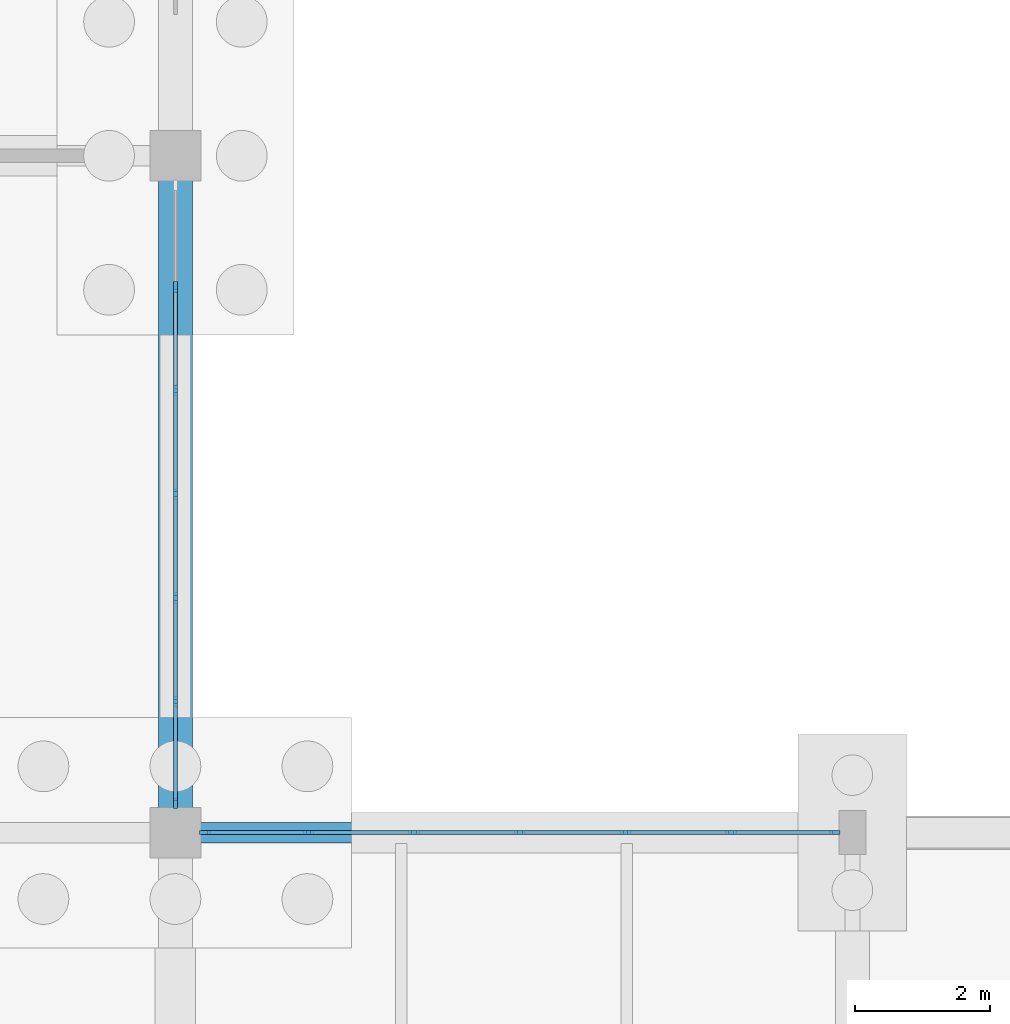
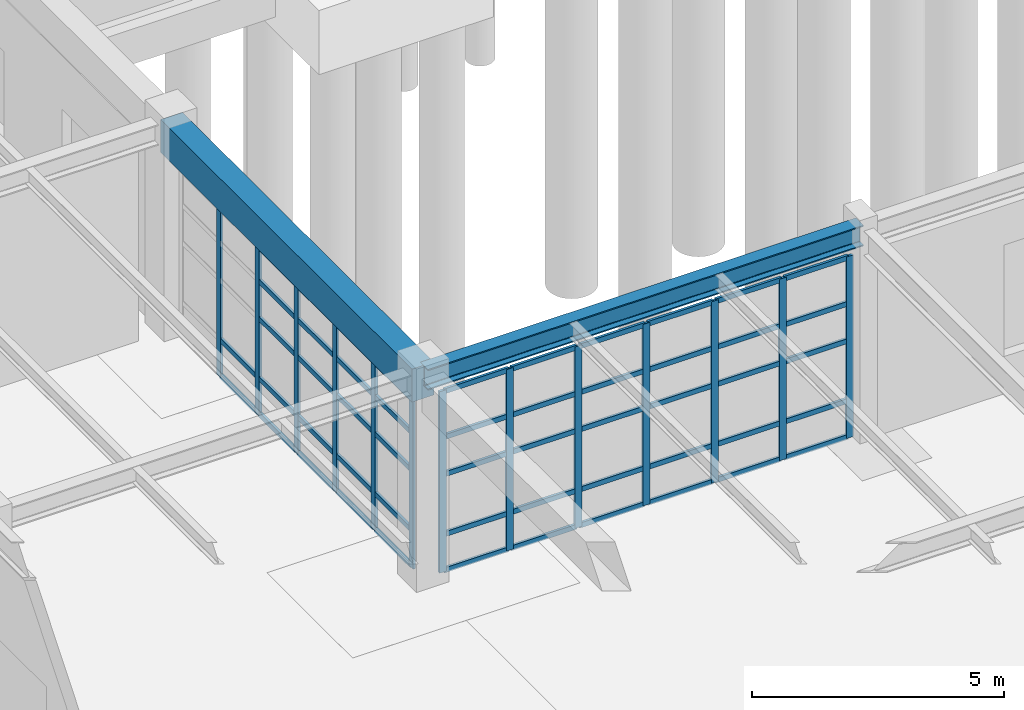
# One storey, part 39 of 145: 65 members, 2 beams, 2 elements without a shape of their own.
"""IFC4 building model written with IfcOpenShell, lengths in metres."""

from ifc_helpers import new_model, si_unit, direction, frame, origin, origin_2d, place, context, subcontext, project, spatial, rectangle, i_section, extrude, material, layer, layer_set, material_profile, profile_set, type_object, element, aggregate, save


model = new_model("IFC4")

# Units and contexts
model_context = context("Model", 3, precision=1e-05, world=origin(), true_north=direction((0.0, 1.0)))
body_context = subcontext(model_context, "Body", "Model", "MODEL_VIEW")
ifc_project = project(units=[si_unit("LENGTHUNIT", "METRE"), si_unit("AREAUNIT", "SQUARE_METRE"), si_unit("VOLUMEUNIT", "CUBIC_METRE"), si_unit("PLANEANGLEUNIT", "RADIAN"), si_unit("MASSUNIT", "GRAM", prefix="KILO"), si_unit("THERMODYNAMICTEMPERATUREUNIT", "KELVIN"), si_unit("POWERUNIT", "WATT")], contexts=[model_context])

# Site, building, storey
site_placement = place(None, origin())
site = spatial("IfcSite", under=ifc_project, at=site_placement, CompositionType="ELEMENT")
building_placement = place(site_placement, origin())
building = spatial("IfcBuilding", under=site, at=building_placement, Name="Korenveer Ferry Terminal", CompositionType="ELEMENT")
storey_placement = place(building_placement, origin())
storey = spatial("IfcBuildingStorey", under=building, at=storey_placement, Name="L00", CompositionType="ELEMENT", Elevation=0.0)

# Curtain wall, members
ifc_material_1 = material(Name="Unitised bronze-and-glass curtain wall", Category="glass")
ifc_layer_1 = layer(ifc_material_1, 0.159912109375)
ifc_layer_set_1 = layer_set([ifc_layer_1], Name="Unitised bronze-and-glass curtain wall")
curtain_wall_type_1 = type_object("IfcCurtainWallType", Name="ENV-CW-03", PredefinedType="USERDEFINED", material=ifc_layer_set_1)
curtain_wall_1_placement = place(storey_placement, frame((30.405029296875, 50.0, 0.0)))
curtain_wall_1 = element("IfcCurtainWall", 1, at=curtain_wall_1_placement, inside=storey, type_object=curtain_wall_type_1, Name="Lancet curtain wall CWX-L00-X30-40-Y50-50", ObjectType="UNITISED CURTAIN WALL", PredefinedType="USERDEFINED")
ifc_material_2 = material(Name="Anodised bronze aluminium", Category="aluminium")
ifc_material_profile_1 = material_profile(ifc_material_2, rectangle(XDim=0.06005859375, YDim=0.159912109375, at=origin_2d()), Name="ALU 60x160")
ifc_profile_set_1 = profile_set([ifc_material_profile_1], Name="Anodised bronze aluminium")
member_type_1 = type_object("IfcMemberType", Name="ENV-CWM-60X160", PredefinedType="MULLION", material=ifc_profile_set_1)
member_1_placement = place(storey_placement, frame((30.43505859375, 50.0, 0.0), z_axis=(0.0, 0.0, 1.0), x_axis=(0.0, 1.0, 0.0)))
member_1 = element("IfcMember", 2, at=member_1_placement, type_object=member_type_1, Name="CW-03 mullion 1", PredefinedType="MULLION", context=body_context, shape_type="SweptSolid", body=[
    extrude(rectangle(XDim=0.06005859375, YDim=0.159912109375, at=origin_2d()), origin(), (0.0, 0.0, 1.0), 4.389892578125),
])
member_2_placement = place(storey_placement, frame((31.9658203125, 50.0, 0.0), z_axis=(0.0, 0.0, 1.0), x_axis=(0.0, 1.0, 0.0)))
member_2 = element("IfcMember", 3, at=member_2_placement, type_object=member_type_1, Name="CW-03 mullion 2", PredefinedType="MULLION", context=body_context, shape_type="SweptSolid", body=[
    extrude(rectangle(XDim=0.06005859375, YDim=0.159912109375, at=origin_2d()), origin(), (0.0, 0.0, 1.0), 4.389892578125),
])
member_3_placement = place(storey_placement, frame((33.526611328125, 50.0, 0.0), z_axis=(0.0, 0.0, 1.0), x_axis=(0.0, 1.0, 0.0)))
member_3 = element("IfcMember", 4, at=member_3_placement, type_object=member_type_1, Name="CW-03 mullion 3", PredefinedType="MULLION", context=body_context, shape_type="SweptSolid", body=[
    extrude(rectangle(XDim=0.06005859375, YDim=0.159912109375, at=origin_2d()), origin(), (0.0, 0.0, 1.0), 4.389892578125),
])
member_4_placement = place(storey_placement, frame((35.08740234375, 50.0, 0.0), z_axis=(0.0, 0.0, 1.0), x_axis=(0.0, 1.0, 0.0)))
member_4 = element("IfcMember", 5, at=member_4_placement, type_object=member_type_1, Name="CW-03 mullion 4", PredefinedType="MULLION", context=body_context, shape_type="SweptSolid", body=[
    extrude(rectangle(XDim=0.06005859375, YDim=0.159912109375, at=origin_2d()), origin(), (0.0, 0.0, 1.0), 4.389892578125),
])
member_5_placement = place(storey_placement, frame((36.6484375, 50.0, 0.0), z_axis=(0.0, 0.0, 1.0), x_axis=(0.0, 1.0, 0.0)))
member_5 = element("IfcMember", 6, at=member_5_placement, type_object=member_type_1, Name="CW-03 mullion 5", PredefinedType="MULLION", context=body_context, shape_type="SweptSolid", body=[
    extrude(rectangle(XDim=0.06005859375, YDim=0.159912109375, at=origin_2d()), origin(), (0.0, 0.0, 1.0), 4.389892578125),
])
member_6_placement = place(storey_placement, frame((38.209228515625, 50.0, 0.0), z_axis=(0.0, 0.0, 1.0), x_axis=(0.0, 1.0, 0.0)))
member_6 = element("IfcMember", 7, at=member_6_placement, type_object=member_type_1, Name="CW-03 mullion 6", PredefinedType="MULLION", context=body_context, shape_type="SweptSolid", body=[
    extrude(rectangle(XDim=0.06005859375, YDim=0.159912109375, at=origin_2d()), origin(), (0.0, 0.0, 1.0), 4.389892578125),
])
member_7_placement = place(storey_placement, frame((39.739990234375, 50.0, 0.0), z_axis=(0.0, 0.0, 1.0), x_axis=(0.0, 1.0, 0.0)))
member_7 = element("IfcMember", 8, at=member_7_placement, type_object=member_type_1, Name="CW-03 mullion 7", PredefinedType="MULLION", context=body_context, shape_type="SweptSolid", body=[
    extrude(rectangle(XDim=0.06005859375, YDim=0.159912109375, at=origin_2d()), origin(), (0.0, 0.0, 1.0), 4.389892578125),
])

ifc_layer_2 = layer(ifc_material_1, 0.159912109375)
ifc_layer_set_2 = layer_set([ifc_layer_2], Name="Unitised bronze-and-glass curtain wall")
curtain_wall_type_2 = type_object("IfcCurtainWallType", Name="ENV-CW-20", PredefinedType="USERDEFINED", material=ifc_layer_set_2)
curtain_wall_2_placement = place(storey_placement, frame((30.0, 59.594970703125, 0.0)))
curtain_wall_2 = element("IfcCurtainWall", 9, at=curtain_wall_2_placement, inside=storey, type_object=curtain_wall_type_2, Name="Lancet curtain wall CWX-L00-X30-30-Y50-60", ObjectType="UNITISED CURTAIN WALL", PredefinedType="USERDEFINED")
member_8_placement = place(storey_placement, frame((30.0, 58.063232421875, 0.0), z_axis=(0.0, 0.0, 1.0), x_axis=(1.0, 0.0, 0.0)))
member_8 = element("IfcMember", 10, at=member_8_placement, type_object=member_type_1, Name="CW-20 mullion 2", PredefinedType="MULLION", context=body_context, shape_type="SweptSolid", body=[
    extrude(rectangle(XDim=0.06005859375, YDim=0.159912109375, at=origin_2d()), origin(), (0.0, 0.0, 1.0), 4.090087890625),
])
member_9_placement = place(storey_placement, frame((30.0, 56.53173828125, 0.0), z_axis=(0.0, 0.0, 1.0), x_axis=(1.0, 0.0, 0.0)))
member_9 = element("IfcMember", 11, at=member_9_placement, type_object=member_type_1, Name="CW-20 mullion 3", PredefinedType="MULLION", context=body_context, shape_type="SweptSolid", body=[
    extrude(rectangle(XDim=0.06005859375, YDim=0.159912109375, at=origin_2d()), origin(), (0.0, 0.0, 1.0), 4.090087890625),
])
member_10_placement = place(storey_placement, frame((30.0, 55.0, 0.0), z_axis=(0.0, 0.0, 1.0), x_axis=(1.0, 0.0, 0.0)))
member_10 = element("IfcMember", 12, at=member_10_placement, type_object=member_type_1, Name="CW-20 mullion 4", PredefinedType="MULLION", context=body_context, shape_type="SweptSolid", body=[
    extrude(rectangle(XDim=0.06005859375, YDim=0.159912109375, at=origin_2d()), origin(), (0.0, 0.0, 1.0), 4.090087890625),
])
member_11_placement = place(storey_placement, frame((30.0, 53.46826171875, 0.0), z_axis=(0.0, 0.0, 1.0), x_axis=(1.0, 0.0, 0.0)))
member_11 = element("IfcMember", 13, at=member_11_placement, type_object=member_type_1, Name="CW-20 mullion 5", PredefinedType="MULLION", context=body_context, shape_type="SweptSolid", body=[
    extrude(rectangle(XDim=0.06005859375, YDim=0.159912109375, at=origin_2d()), origin(), (0.0, 0.0, 1.0), 4.090087890625),
])
member_12_placement = place(storey_placement, frame((30.0, 51.936767578125, 0.0), z_axis=(0.0, 0.0, 1.0), x_axis=(1.0, 0.0, 0.0)))
member_12 = element("IfcMember", 14, at=member_12_placement, type_object=member_type_1, Name="CW-20 mullion 6", PredefinedType="MULLION", context=body_context, shape_type="SweptSolid", body=[
    extrude(rectangle(XDim=0.06005859375, YDim=0.159912109375, at=origin_2d()), origin(), (0.0, 0.0, 1.0), 4.090087890625),
])
member_13_placement = place(storey_placement, frame((30.0, 50.43505859375, 0.0), z_axis=(0.0, 0.0, 1.0), x_axis=(1.0, 0.0, 0.0)))
member_13 = element("IfcMember", 15, at=member_13_placement, type_object=member_type_1, Name="CW-20 mullion 7", PredefinedType="MULLION", context=body_context, shape_type="SweptSolid", body=[
    extrude(rectangle(XDim=0.06005859375, YDim=0.159912109375, at=origin_2d()), origin(), (0.0, 0.0, 1.0), 4.090087890625),
])

# Member
ifc_material_profile_2 = material_profile(ifc_material_2, rectangle(XDim=0.06005859375, YDim=0.1201171875, at=origin_2d()), Name="ALU 60x120")
ifc_profile_set_2 = profile_set([ifc_material_profile_2], Name="Anodised bronze aluminium")
member_type_2 = type_object("IfcMemberType", Name="ENV-CWT-60X120", PredefinedType="USERDEFINED", material=ifc_profile_set_2)
member_14_placement = place(storey_placement, frame((30.465087890625, 50.0, 0.030029296875), z_axis=(1.0, 0.0, 0.0), x_axis=(0.0, 1.0, 0.0)))
member_14 = element("IfcMember", 16, at=member_14_placement, type_object=member_type_2, Name="CW-03 transom 1.1", ObjectType="TRANSOM", PredefinedType="USERDEFINED", context=body_context, shape_type="SweptSolid", body=[
    extrude(rectangle(XDim=0.06005859375, YDim=0.1201171875, at=origin_2d()), origin(), (0.0, 0.0, 1.0), 1.470703125),
])

member_15_placement = place(storey_placement, frame((30.465087890625, 50.0, 0.89990234375), z_axis=(1.0, 0.0, 0.0), x_axis=(0.0, 1.0, 0.0)))
member_15 = element("IfcMember", 17, at=member_15_placement, type_object=member_type_2, Name="CW-03 transom 1.2", ObjectType="TRANSOM", PredefinedType="USERDEFINED", context=body_context, shape_type="SweptSolid", body=[
    extrude(rectangle(XDim=0.06005859375, YDim=0.1201171875, at=origin_2d()), origin(), (0.0, 0.0, 1.0), 1.470703125),
])

member_16_placement = place(storey_placement, frame((30.465087890625, 50.0, 2.35009765625), z_axis=(1.0, 0.0, 0.0), x_axis=(0.0, 1.0, 0.0)))
member_16 = element("IfcMember", 18, at=member_16_placement, type_object=member_type_2, Name="CW-03 transom 1.3", ObjectType="TRANSOM", PredefinedType="USERDEFINED", context=body_context, shape_type="SweptSolid", body=[
    extrude(rectangle(XDim=0.06005859375, YDim=0.1201171875, at=origin_2d()), origin(), (0.0, 0.0, 1.0), 1.470703125),
])

member_17_placement = place(storey_placement, frame((30.465087890625, 50.0, 3.25), z_axis=(1.0, 0.0, 0.0), x_axis=(0.0, 1.0, 0.0)))
member_17 = element("IfcMember", 19, at=member_17_placement, type_object=member_type_2, Name="CW-03 transom 1.4", ObjectType="TRANSOM", PredefinedType="USERDEFINED", context=body_context, shape_type="SweptSolid", body=[
    extrude(rectangle(XDim=0.06005859375, YDim=0.1201171875, at=origin_2d()), origin(), (0.0, 0.0, 1.0), 1.470703125),
])

member_18_placement = place(storey_placement, frame((30.465087890625, 50.0, 4.360107421875), z_axis=(1.0, 0.0, 0.0), x_axis=(0.0, 1.0, 0.0)))
member_18 = element("IfcMember", 20, at=member_18_placement, type_object=member_type_2, Name="CW-03 transom 1.5", ObjectType="TRANSOM", PredefinedType="USERDEFINED", context=body_context, shape_type="SweptSolid", body=[
    extrude(rectangle(XDim=0.06005859375, YDim=0.1201171875, at=origin_2d()), origin(), (0.0, 0.0, 1.0), 1.470703125),
])

member_19_placement = place(storey_placement, frame((31.995849609375, 50.0, 0.030029296875), z_axis=(1.0, 0.0, 0.0), x_axis=(0.0, 1.0, 0.0)))
member_19 = element("IfcMember", 21, at=member_19_placement, type_object=member_type_2, Name="CW-03 transom 2.1", ObjectType="TRANSOM", PredefinedType="USERDEFINED", context=body_context, shape_type="SweptSolid", body=[
    extrude(rectangle(XDim=0.06005859375, YDim=0.1201171875, at=origin_2d()), origin(), (0.0, 0.0, 1.0), 1.500732421875),
])

member_20_placement = place(storey_placement, frame((31.995849609375, 50.0, 0.89990234375), z_axis=(1.0, 0.0, 0.0), x_axis=(0.0, 1.0, 0.0)))
member_20 = element("IfcMember", 22, at=member_20_placement, type_object=member_type_2, Name="CW-03 transom 2.2", ObjectType="TRANSOM", PredefinedType="USERDEFINED", context=body_context, shape_type="SweptSolid", body=[
    extrude(rectangle(XDim=0.06005859375, YDim=0.1201171875, at=origin_2d()), origin(), (0.0, 0.0, 1.0), 1.500732421875),
])

member_21_placement = place(storey_placement, frame((31.995849609375, 50.0, 2.35009765625), z_axis=(1.0, 0.0, 0.0), x_axis=(0.0, 1.0, 0.0)))
member_21 = element("IfcMember", 23, at=member_21_placement, type_object=member_type_2, Name="CW-03 transom 2.3", ObjectType="TRANSOM", PredefinedType="USERDEFINED", context=body_context, shape_type="SweptSolid", body=[
    extrude(rectangle(XDim=0.06005859375, YDim=0.1201171875, at=origin_2d()), origin(), (0.0, 0.0, 1.0), 1.500732421875),
])

member_22_placement = place(storey_placement, frame((31.995849609375, 50.0, 3.25), z_axis=(1.0, 0.0, 0.0), x_axis=(0.0, 1.0, 0.0)))
member_22 = element("IfcMember", 24, at=member_22_placement, type_object=member_type_2, Name="CW-03 transom 2.4", ObjectType="TRANSOM", PredefinedType="USERDEFINED", context=body_context, shape_type="SweptSolid", body=[
    extrude(rectangle(XDim=0.06005859375, YDim=0.1201171875, at=origin_2d()), origin(), (0.0, 0.0, 1.0), 1.500732421875),
])

member_23_placement = place(storey_placement, frame((31.995849609375, 50.0, 4.360107421875), z_axis=(1.0, 0.0, 0.0), x_axis=(0.0, 1.0, 0.0)))
member_23 = element("IfcMember", 25, at=member_23_placement, type_object=member_type_2, Name="CW-03 transom 2.5", ObjectType="TRANSOM", PredefinedType="USERDEFINED", context=body_context, shape_type="SweptSolid", body=[
    extrude(rectangle(XDim=0.06005859375, YDim=0.1201171875, at=origin_2d()), origin(), (0.0, 0.0, 1.0), 1.500732421875),
])

member_24_placement = place(storey_placement, frame((33.556640625, 50.0, 0.030029296875), z_axis=(1.0, 0.0, 0.0), x_axis=(0.0, 1.0, 0.0)))
member_24 = element("IfcMember", 26, at=member_24_placement, type_object=member_type_2, Name="CW-03 transom 3.1", ObjectType="TRANSOM", PredefinedType="USERDEFINED", context=body_context, shape_type="SweptSolid", body=[
    extrude(rectangle(XDim=0.06005859375, YDim=0.1201171875, at=origin_2d()), origin(), (0.0, 0.0, 1.0), 1.5009765625),
])

member_25_placement = place(storey_placement, frame((33.556640625, 50.0, 0.89990234375), z_axis=(1.0, 0.0, 0.0), x_axis=(0.0, 1.0, 0.0)))
member_25 = element("IfcMember", 27, at=member_25_placement, type_object=member_type_2, Name="CW-03 transom 3.2", ObjectType="TRANSOM", PredefinedType="USERDEFINED", context=body_context, shape_type="SweptSolid", body=[
    extrude(rectangle(XDim=0.06005859375, YDim=0.1201171875, at=origin_2d()), origin(), (0.0, 0.0, 1.0), 1.5009765625),
])

member_26_placement = place(storey_placement, frame((33.556640625, 50.0, 2.35009765625), z_axis=(1.0, 0.0, 0.0), x_axis=(0.0, 1.0, 0.0)))
member_26 = element("IfcMember", 28, at=member_26_placement, type_object=member_type_2, Name="CW-03 transom 3.3", ObjectType="TRANSOM", PredefinedType="USERDEFINED", context=body_context, shape_type="SweptSolid", body=[
    extrude(rectangle(XDim=0.06005859375, YDim=0.1201171875, at=origin_2d()), origin(), (0.0, 0.0, 1.0), 1.5009765625),
])

member_27_placement = place(storey_placement, frame((33.556640625, 50.0, 3.25), z_axis=(1.0, 0.0, 0.0), x_axis=(0.0, 1.0, 0.0)))
member_27 = element("IfcMember", 29, at=member_27_placement, type_object=member_type_2, Name="CW-03 transom 3.4", ObjectType="TRANSOM", PredefinedType="USERDEFINED", context=body_context, shape_type="SweptSolid", body=[
    extrude(rectangle(XDim=0.06005859375, YDim=0.1201171875, at=origin_2d()), origin(), (0.0, 0.0, 1.0), 1.5009765625),
])

member_28_placement = place(storey_placement, frame((33.556640625, 50.0, 4.360107421875), z_axis=(1.0, 0.0, 0.0), x_axis=(0.0, 1.0, 0.0)))
member_28 = element("IfcMember", 30, at=member_28_placement, type_object=member_type_2, Name="CW-03 transom 3.5", ObjectType="TRANSOM", PredefinedType="USERDEFINED", context=body_context, shape_type="SweptSolid", body=[
    extrude(rectangle(XDim=0.06005859375, YDim=0.1201171875, at=origin_2d()), origin(), (0.0, 0.0, 1.0), 1.5009765625),
])

member_29_placement = place(storey_placement, frame((35.117431640625, 50.0, 0.030029296875), z_axis=(1.0, 0.0, 0.0), x_axis=(0.0, 1.0, 0.0)))
member_29 = element("IfcMember", 31, at=member_29_placement, type_object=member_type_2, Name="CW-03 transom 4.1", ObjectType="TRANSOM", PredefinedType="USERDEFINED", context=body_context, shape_type="SweptSolid", body=[
    extrude(rectangle(XDim=0.06005859375, YDim=0.1201171875, at=origin_2d()), origin(), (0.0, 0.0, 1.0), 1.5009765625),
])

member_30_placement = place(storey_placement, frame((35.117431640625, 50.0, 0.89990234375), z_axis=(1.0, 0.0, 0.0), x_axis=(0.0, 1.0, 0.0)))
member_30 = element("IfcMember", 32, at=member_30_placement, type_object=member_type_2, Name="CW-03 transom 4.2", ObjectType="TRANSOM", PredefinedType="USERDEFINED", context=body_context, shape_type="SweptSolid", body=[
    extrude(rectangle(XDim=0.06005859375, YDim=0.1201171875, at=origin_2d()), origin(), (0.0, 0.0, 1.0), 1.5009765625),
])

member_31_placement = place(storey_placement, frame((35.117431640625, 50.0, 2.35009765625), z_axis=(1.0, 0.0, 0.0), x_axis=(0.0, 1.0, 0.0)))
member_31 = element("IfcMember", 33, at=member_31_placement, type_object=member_type_2, Name="CW-03 transom 4.3", ObjectType="TRANSOM", PredefinedType="USERDEFINED", context=body_context, shape_type="SweptSolid", body=[
    extrude(rectangle(XDim=0.06005859375, YDim=0.1201171875, at=origin_2d()), origin(), (0.0, 0.0, 1.0), 1.5009765625),
])

member_32_placement = place(storey_placement, frame((35.117431640625, 50.0, 3.25), z_axis=(1.0, 0.0, 0.0), x_axis=(0.0, 1.0, 0.0)))
member_32 = element("IfcMember", 34, at=member_32_placement, type_object=member_type_2, Name="CW-03 transom 4.4", ObjectType="TRANSOM", PredefinedType="USERDEFINED", context=body_context, shape_type="SweptSolid", body=[
    extrude(rectangle(XDim=0.06005859375, YDim=0.1201171875, at=origin_2d()), origin(), (0.0, 0.0, 1.0), 1.5009765625),
])

member_33_placement = place(storey_placement, frame((35.117431640625, 50.0, 4.360107421875), z_axis=(1.0, 0.0, 0.0), x_axis=(0.0, 1.0, 0.0)))
member_33 = element("IfcMember", 35, at=member_33_placement, type_object=member_type_2, Name="CW-03 transom 4.5", ObjectType="TRANSOM", PredefinedType="USERDEFINED", context=body_context, shape_type="SweptSolid", body=[
    extrude(rectangle(XDim=0.06005859375, YDim=0.1201171875, at=origin_2d()), origin(), (0.0, 0.0, 1.0), 1.5009765625),
])

member_34_placement = place(storey_placement, frame((36.67822265625, 50.0, 0.030029296875), z_axis=(1.0, 0.0, 0.0), x_axis=(0.0, 1.0, 0.0)))
member_34 = element("IfcMember", 36, at=member_34_placement, type_object=member_type_2, Name="CW-03 transom 5.1", ObjectType="TRANSOM", PredefinedType="USERDEFINED", context=body_context, shape_type="SweptSolid", body=[
    extrude(rectangle(XDim=0.06005859375, YDim=0.1201171875, at=origin_2d()), origin(), (0.0, 0.0, 1.0), 1.5009765625),
])

member_35_placement = place(storey_placement, frame((36.67822265625, 50.0, 0.89990234375), z_axis=(1.0, 0.0, 0.0), x_axis=(0.0, 1.0, 0.0)))
member_35 = element("IfcMember", 37, at=member_35_placement, type_object=member_type_2, Name="CW-03 transom 5.2", ObjectType="TRANSOM", PredefinedType="USERDEFINED", context=body_context, shape_type="SweptSolid", body=[
    extrude(rectangle(XDim=0.06005859375, YDim=0.1201171875, at=origin_2d()), origin(), (0.0, 0.0, 1.0), 1.5009765625),
])

member_36_placement = place(storey_placement, frame((36.67822265625, 50.0, 2.35009765625), z_axis=(1.0, 0.0, 0.0), x_axis=(0.0, 1.0, 0.0)))
member_36 = element("IfcMember", 38, at=member_36_placement, type_object=member_type_2, Name="CW-03 transom 5.3", ObjectType="TRANSOM", PredefinedType="USERDEFINED", context=body_context, shape_type="SweptSolid", body=[
    extrude(rectangle(XDim=0.06005859375, YDim=0.1201171875, at=origin_2d()), origin(), (0.0, 0.0, 1.0), 1.5009765625),
])

member_37_placement = place(storey_placement, frame((36.67822265625, 50.0, 3.25), z_axis=(1.0, 0.0, 0.0), x_axis=(0.0, 1.0, 0.0)))
member_37 = element("IfcMember", 39, at=member_37_placement, type_object=member_type_2, Name="CW-03 transom 5.4", ObjectType="TRANSOM", PredefinedType="USERDEFINED", context=body_context, shape_type="SweptSolid", body=[
    extrude(rectangle(XDim=0.06005859375, YDim=0.1201171875, at=origin_2d()), origin(), (0.0, 0.0, 1.0), 1.5009765625),
])

member_38_placement = place(storey_placement, frame((36.67822265625, 50.0, 4.360107421875), z_axis=(1.0, 0.0, 0.0), x_axis=(0.0, 1.0, 0.0)))
member_38 = element("IfcMember", 40, at=member_38_placement, type_object=member_type_2, Name="CW-03 transom 5.5", ObjectType="TRANSOM", PredefinedType="USERDEFINED", context=body_context, shape_type="SweptSolid", body=[
    extrude(rectangle(XDim=0.06005859375, YDim=0.1201171875, at=origin_2d()), origin(), (0.0, 0.0, 1.0), 1.5009765625),
])

member_39_placement = place(storey_placement, frame((38.2392578125, 50.0, 0.030029296875), z_axis=(1.0, 0.0, 0.0), x_axis=(0.0, 1.0, 0.0)))
member_39 = element("IfcMember", 41, at=member_39_placement, type_object=member_type_2, Name="CW-03 transom 6.1", ObjectType="TRANSOM", PredefinedType="USERDEFINED", context=body_context, shape_type="SweptSolid", body=[
    extrude(rectangle(XDim=0.06005859375, YDim=0.1201171875, at=origin_2d()), origin(), (0.0, 0.0, 1.0), 1.470703125),
])

member_40_placement = place(storey_placement, frame((38.2392578125, 50.0, 0.89990234375), z_axis=(1.0, 0.0, 0.0), x_axis=(0.0, 1.0, 0.0)))
member_40 = element("IfcMember", 42, at=member_40_placement, type_object=member_type_2, Name="CW-03 transom 6.2", ObjectType="TRANSOM", PredefinedType="USERDEFINED", context=body_context, shape_type="SweptSolid", body=[
    extrude(rectangle(XDim=0.06005859375, YDim=0.1201171875, at=origin_2d()), origin(), (0.0, 0.0, 1.0), 1.470703125),
])

member_41_placement = place(storey_placement, frame((38.2392578125, 50.0, 2.35009765625), z_axis=(1.0, 0.0, 0.0), x_axis=(0.0, 1.0, 0.0)))
member_41 = element("IfcMember", 43, at=member_41_placement, type_object=member_type_2, Name="CW-03 transom 6.3", ObjectType="TRANSOM", PredefinedType="USERDEFINED", context=body_context, shape_type="SweptSolid", body=[
    extrude(rectangle(XDim=0.06005859375, YDim=0.1201171875, at=origin_2d()), origin(), (0.0, 0.0, 1.0), 1.470703125),
])

member_42_placement = place(storey_placement, frame((38.2392578125, 50.0, 3.25), z_axis=(1.0, 0.0, 0.0), x_axis=(0.0, 1.0, 0.0)))
member_42 = element("IfcMember", 44, at=member_42_placement, type_object=member_type_2, Name="CW-03 transom 6.4", ObjectType="TRANSOM", PredefinedType="USERDEFINED", context=body_context, shape_type="SweptSolid", body=[
    extrude(rectangle(XDim=0.06005859375, YDim=0.1201171875, at=origin_2d()), origin(), (0.0, 0.0, 1.0), 1.470703125),
])

member_43_placement = place(storey_placement, frame((38.2392578125, 50.0, 4.360107421875), z_axis=(1.0, 0.0, 0.0), x_axis=(0.0, 1.0, 0.0)))
member_43 = element("IfcMember", 45, at=member_43_placement, type_object=member_type_2, Name="CW-03 transom 6.5", ObjectType="TRANSOM", PredefinedType="USERDEFINED", context=body_context, shape_type="SweptSolid", body=[
    extrude(rectangle(XDim=0.06005859375, YDim=0.1201171875, at=origin_2d()), origin(), (0.0, 0.0, 1.0), 1.470703125),
])

aggregate(curtain_wall_1, [member_1, member_2, member_3, member_4, member_5, member_6, member_7, member_14, member_15, member_16, member_17, member_18, member_19, member_20, member_21, member_22, member_23, member_24, member_25, member_26, member_27, member_28, member_29, member_30, member_31, member_32, member_33, member_34, member_35, member_36, member_37, member_38, member_39, member_40, member_41, member_42, member_43])

member_44_placement = place(storey_placement, frame((30.0, 58.033447265625, 0.030029296875), z_axis=(0.0, -1.0, 0.0), x_axis=(1.0, 0.0, 0.0)))
member_44 = element("IfcMember", 46, at=member_44_placement, type_object=member_type_2, Name="CW-20 transom 2.1", ObjectType="TRANSOM", PredefinedType="USERDEFINED", context=body_context, shape_type="SweptSolid", body=[
    extrude(rectangle(XDim=0.06005859375, YDim=0.1201171875, at=origin_2d()), origin(), (0.0, 0.0, 1.0), 1.4716796875),
])

member_45_placement = place(storey_placement, frame((30.0, 58.033447265625, 0.89990234375), z_axis=(0.0, -1.0, 0.0), x_axis=(1.0, 0.0, 0.0)))
member_45 = element("IfcMember", 47, at=member_45_placement, type_object=member_type_2, Name="CW-20 transom 2.2", ObjectType="TRANSOM", PredefinedType="USERDEFINED", context=body_context, shape_type="SweptSolid", body=[
    extrude(rectangle(XDim=0.06005859375, YDim=0.1201171875, at=origin_2d()), origin(), (0.0, 0.0, 1.0), 1.4716796875),
])

member_46_placement = place(storey_placement, frame((30.0, 56.501708984375, 0.030029296875), z_axis=(0.0, -1.0, 0.0), x_axis=(1.0, 0.0, 0.0)))
member_46 = element("IfcMember", 48, at=member_46_placement, type_object=member_type_2, Name="CW-20 transom 3.1", ObjectType="TRANSOM", PredefinedType="USERDEFINED", context=body_context, shape_type="SweptSolid", body=[
    extrude(rectangle(XDim=0.06005859375, YDim=0.1201171875, at=origin_2d()), origin(), (0.0, 0.0, 1.0), 1.4716796875),
])

member_47_placement = place(storey_placement, frame((30.0, 56.501708984375, 0.89990234375), z_axis=(0.0, -1.0, 0.0), x_axis=(1.0, 0.0, 0.0)))
member_47 = element("IfcMember", 49, at=member_47_placement, type_object=member_type_2, Name="CW-20 transom 3.2", ObjectType="TRANSOM", PredefinedType="USERDEFINED", context=body_context, shape_type="SweptSolid", body=[
    extrude(rectangle(XDim=0.06005859375, YDim=0.1201171875, at=origin_2d()), origin(), (0.0, 0.0, 1.0), 1.4716796875),
])

member_48_placement = place(storey_placement, frame((30.0, 56.501708984375, 2.35009765625), z_axis=(0.0, -1.0, 0.0), x_axis=(1.0, 0.0, 0.0)))
member_48 = element("IfcMember", 50, at=member_48_placement, type_object=member_type_2, Name="CW-20 transom 3.3", ObjectType="TRANSOM", PredefinedType="USERDEFINED", context=body_context, shape_type="SweptSolid", body=[
    extrude(rectangle(XDim=0.06005859375, YDim=0.1201171875, at=origin_2d()), origin(), (0.0, 0.0, 1.0), 1.4716796875),
])

member_49_placement = place(storey_placement, frame((30.0, 56.501708984375, 3.25), z_axis=(0.0, -1.0, 0.0), x_axis=(1.0, 0.0, 0.0)))
member_49 = element("IfcMember", 51, at=member_49_placement, type_object=member_type_2, Name="CW-20 transom 3.4", ObjectType="TRANSOM", PredefinedType="USERDEFINED", context=body_context, shape_type="SweptSolid", body=[
    extrude(rectangle(XDim=0.06005859375, YDim=0.1201171875, at=origin_2d()), origin(), (0.0, 0.0, 1.0), 1.4716796875),
])

member_50_placement = place(storey_placement, frame((30.0, 56.501708984375, 4.06005859375), z_axis=(0.0, -1.0, 0.0), x_axis=(1.0, 0.0, 0.0)))
member_50 = element("IfcMember", 52, at=member_50_placement, type_object=member_type_2, Name="CW-20 transom 3.5", ObjectType="TRANSOM", PredefinedType="USERDEFINED", context=body_context, shape_type="SweptSolid", body=[
    extrude(rectangle(XDim=0.06005859375, YDim=0.1201171875, at=origin_2d()), origin(), (0.0, 0.0, 1.0), 1.4716796875),
])

member_51_placement = place(storey_placement, frame((30.0, 54.969970703125, 0.030029296875), z_axis=(0.0, -1.0, 0.0), x_axis=(1.0, 0.0, 0.0)))
member_51 = element("IfcMember", 53, at=member_51_placement, type_object=member_type_2, Name="CW-20 transom 4.1", ObjectType="TRANSOM", PredefinedType="USERDEFINED", context=body_context, shape_type="SweptSolid", body=[
    extrude(rectangle(XDim=0.06005859375, YDim=0.1201171875, at=origin_2d()), origin(), (0.0, 0.0, 1.0), 1.4716796875),
])

member_52_placement = place(storey_placement, frame((30.0, 54.969970703125, 0.89990234375), z_axis=(0.0, -1.0, 0.0), x_axis=(1.0, 0.0, 0.0)))
member_52 = element("IfcMember", 54, at=member_52_placement, type_object=member_type_2, Name="CW-20 transom 4.2", ObjectType="TRANSOM", PredefinedType="USERDEFINED", context=body_context, shape_type="SweptSolid", body=[
    extrude(rectangle(XDim=0.06005859375, YDim=0.1201171875, at=origin_2d()), origin(), (0.0, 0.0, 1.0), 1.4716796875),
])

member_53_placement = place(storey_placement, frame((30.0, 54.969970703125, 2.35009765625), z_axis=(0.0, -1.0, 0.0), x_axis=(1.0, 0.0, 0.0)))
member_53 = element("IfcMember", 55, at=member_53_placement, type_object=member_type_2, Name="CW-20 transom 4.3", ObjectType="TRANSOM", PredefinedType="USERDEFINED", context=body_context, shape_type="SweptSolid", body=[
    extrude(rectangle(XDim=0.06005859375, YDim=0.1201171875, at=origin_2d()), origin(), (0.0, 0.0, 1.0), 1.4716796875),
])

member_54_placement = place(storey_placement, frame((30.0, 54.969970703125, 3.25), z_axis=(0.0, -1.0, 0.0), x_axis=(1.0, 0.0, 0.0)))
member_54 = element("IfcMember", 56, at=member_54_placement, type_object=member_type_2, Name="CW-20 transom 4.4", ObjectType="TRANSOM", PredefinedType="USERDEFINED", context=body_context, shape_type="SweptSolid", body=[
    extrude(rectangle(XDim=0.06005859375, YDim=0.1201171875, at=origin_2d()), origin(), (0.0, 0.0, 1.0), 1.4716796875),
])

member_55_placement = place(storey_placement, frame((30.0, 54.969970703125, 4.06005859375), z_axis=(0.0, -1.0, 0.0), x_axis=(1.0, 0.0, 0.0)))
member_55 = element("IfcMember", 57, at=member_55_placement, type_object=member_type_2, Name="CW-20 transom 4.5", ObjectType="TRANSOM", PredefinedType="USERDEFINED", context=body_context, shape_type="SweptSolid", body=[
    extrude(rectangle(XDim=0.06005859375, YDim=0.1201171875, at=origin_2d()), origin(), (0.0, 0.0, 1.0), 1.4716796875),
])

member_56_placement = place(storey_placement, frame((30.0, 53.438232421875, 0.030029296875), z_axis=(0.0, -1.0, 0.0), x_axis=(1.0, 0.0, 0.0)))
member_56 = element("IfcMember", 58, at=member_56_placement, type_object=member_type_2, Name="CW-20 transom 5.1", ObjectType="TRANSOM", PredefinedType="USERDEFINED", context=body_context, shape_type="SweptSolid", body=[
    extrude(rectangle(XDim=0.06005859375, YDim=0.1201171875, at=origin_2d()), origin(), (0.0, 0.0, 1.0), 1.4716796875),
])

member_57_placement = place(storey_placement, frame((30.0, 53.438232421875, 0.89990234375), z_axis=(0.0, -1.0, 0.0), x_axis=(1.0, 0.0, 0.0)))
member_57 = element("IfcMember", 59, at=member_57_placement, type_object=member_type_2, Name="CW-20 transom 5.2", ObjectType="TRANSOM", PredefinedType="USERDEFINED", context=body_context, shape_type="SweptSolid", body=[
    extrude(rectangle(XDim=0.06005859375, YDim=0.1201171875, at=origin_2d()), origin(), (0.0, 0.0, 1.0), 1.4716796875),
])

member_58_placement = place(storey_placement, frame((30.0, 53.438232421875, 2.35009765625), z_axis=(0.0, -1.0, 0.0), x_axis=(1.0, 0.0, 0.0)))
member_58 = element("IfcMember", 60, at=member_58_placement, type_object=member_type_2, Name="CW-20 transom 5.3", ObjectType="TRANSOM", PredefinedType="USERDEFINED", context=body_context, shape_type="SweptSolid", body=[
    extrude(rectangle(XDim=0.06005859375, YDim=0.1201171875, at=origin_2d()), origin(), (0.0, 0.0, 1.0), 1.4716796875),
])

member_59_placement = place(storey_placement, frame((30.0, 53.438232421875, 3.25), z_axis=(0.0, -1.0, 0.0), x_axis=(1.0, 0.0, 0.0)))
member_59 = element("IfcMember", 61, at=member_59_placement, type_object=member_type_2, Name="CW-20 transom 5.4", ObjectType="TRANSOM", PredefinedType="USERDEFINED", context=body_context, shape_type="SweptSolid", body=[
    extrude(rectangle(XDim=0.06005859375, YDim=0.1201171875, at=origin_2d()), origin(), (0.0, 0.0, 1.0), 1.4716796875),
])

member_60_placement = place(storey_placement, frame((30.0, 53.438232421875, 4.06005859375), z_axis=(0.0, -1.0, 0.0), x_axis=(1.0, 0.0, 0.0)))
member_60 = element("IfcMember", 62, at=member_60_placement, type_object=member_type_2, Name="CW-20 transom 5.5", ObjectType="TRANSOM", PredefinedType="USERDEFINED", context=body_context, shape_type="SweptSolid", body=[
    extrude(rectangle(XDim=0.06005859375, YDim=0.1201171875, at=origin_2d()), origin(), (0.0, 0.0, 1.0), 1.4716796875),
])

member_61_placement = place(storey_placement, frame((30.0, 51.90673828125, 0.030029296875), z_axis=(0.0, -1.0, 0.0), x_axis=(1.0, 0.0, 0.0)))
member_61 = element("IfcMember", 63, at=member_61_placement, type_object=member_type_2, Name="CW-20 transom 6.1", ObjectType="TRANSOM", PredefinedType="USERDEFINED", context=body_context, shape_type="SweptSolid", body=[
    extrude(rectangle(XDim=0.06005859375, YDim=0.1201171875, at=origin_2d()), origin(), (0.0, 0.0, 1.0), 1.441650390625),
])

member_62_placement = place(storey_placement, frame((30.0, 51.90673828125, 0.89990234375), z_axis=(0.0, -1.0, 0.0), x_axis=(1.0, 0.0, 0.0)))
member_62 = element("IfcMember", 64, at=member_62_placement, type_object=member_type_2, Name="CW-20 transom 6.2", ObjectType="TRANSOM", PredefinedType="USERDEFINED", context=body_context, shape_type="SweptSolid", body=[
    extrude(rectangle(XDim=0.06005859375, YDim=0.1201171875, at=origin_2d()), origin(), (0.0, 0.0, 1.0), 1.441650390625),
])

member_63_placement = place(storey_placement, frame((30.0, 51.90673828125, 2.35009765625), z_axis=(0.0, -1.0, 0.0), x_axis=(1.0, 0.0, 0.0)))
member_63 = element("IfcMember", 65, at=member_63_placement, type_object=member_type_2, Name="CW-20 transom 6.3", ObjectType="TRANSOM", PredefinedType="USERDEFINED", context=body_context, shape_type="SweptSolid", body=[
    extrude(rectangle(XDim=0.06005859375, YDim=0.1201171875, at=origin_2d()), origin(), (0.0, 0.0, 1.0), 1.441650390625),
])

member_64_placement = place(storey_placement, frame((30.0, 51.90673828125, 3.25), z_axis=(0.0, -1.0, 0.0), x_axis=(1.0, 0.0, 0.0)))
member_64 = element("IfcMember", 66, at=member_64_placement, type_object=member_type_2, Name="CW-20 transom 6.4", ObjectType="TRANSOM", PredefinedType="USERDEFINED", context=body_context, shape_type="SweptSolid", body=[
    extrude(rectangle(XDim=0.06005859375, YDim=0.1201171875, at=origin_2d()), origin(), (0.0, 0.0, 1.0), 1.441650390625),
])

member_65_placement = place(storey_placement, frame((30.0, 51.90673828125, 4.06005859375), z_axis=(0.0, -1.0, 0.0), x_axis=(1.0, 0.0, 0.0)))
member_65 = element("IfcMember", 67, at=member_65_placement, type_object=member_type_2, Name="CW-20 transom 6.5", ObjectType="TRANSOM", PredefinedType="USERDEFINED", context=body_context, shape_type="SweptSolid", body=[
    extrude(rectangle(XDim=0.06005859375, YDim=0.1201171875, at=origin_2d()), origin(), (0.0, 0.0, 1.0), 1.441650390625),
])

aggregate(curtain_wall_2, [member_8, member_9, member_10, member_11, member_12, member_13, member_44, member_45, member_46, member_47, member_48, member_49, member_50, member_51, member_52, member_53, member_54, member_55, member_56, member_57, member_58, member_59, member_60, member_61, member_62, member_63, member_64, member_65])

# Beams
ifc_material_3 = material(Name="Steel S355", Category="steel")
ifc_material_profile_3 = material_profile(ifc_material_3, i_section(OverallWidth=0.300048828125, OverallDepth=0.5, WebThickness=0.014404296875, FlangeThickness=0.028076171875, FilletRadius=0.027099609375, at=origin_2d()), Name="HEB 500")
ifc_profile_set_3 = profile_set([ifc_material_profile_3], Name="Steel S355")
beam_type_1 = type_object("IfcBeamType", Name="STR-BM-HEB500", PredefinedType="BEAM", material=ifc_profile_set_3)
beam_1_placement = place(storey_placement, frame((30.02001953125, 50.0, 4.8701171875), z_axis=(1.0, 0.0, 0.0), x_axis=(0.0, 1.0, 0.0)))
element("IfcBeam", 68, at=beam_1_placement, inside=storey, type_object=beam_type_1, Name="Primary X girder BMX-L01-X30-40-Y50", PredefinedType="BEAM", context=body_context, shape_type="SweptSolid", body=[
    extrude(i_section(OverallWidth=0.300048828125, OverallDepth=0.5, WebThickness=0.014404296875, FlangeThickness=0.028076171875, FilletRadius=0.027099609375, at=origin_2d()), origin(), (0.0, 0.0, 1.0), 9.9599609375),
])
ifc_material_4 = material(Name="Concrete C40/50", Category="concrete")
ifc_material_profile_4 = material_profile(ifc_material_4, rectangle(XDim=0.5, YDim=0.800048828125, at=origin_2d()), Name="RC 500x800")
ifc_profile_set_4 = profile_set([ifc_material_profile_4], Name="Concrete C40/50")
beam_type_2 = type_object("IfcBeamType", Name="STR-BM-RC500X800", PredefinedType="BEAM", material=ifc_profile_set_4)
beam_2_placement = place(storey_placement, frame((30.0, 50.02001953125, 4.719970703125), z_axis=(0.0, 1.0, 0.0), x_axis=(-1.0, 0.0, 0.0)))
element("IfcBeam", 69, at=beam_2_placement, inside=storey, type_object=beam_type_2, Name="Primary Y girder BMY-L01-X30-Y50-60", PredefinedType="BEAM", context=body_context, shape_type="SweptSolid", body=[
    extrude(rectangle(XDim=0.5, YDim=0.800048828125, at=origin_2d()), origin(), (0.0, 0.0, 1.0), 9.9599609375),
])

save(model, "model.ifc")
